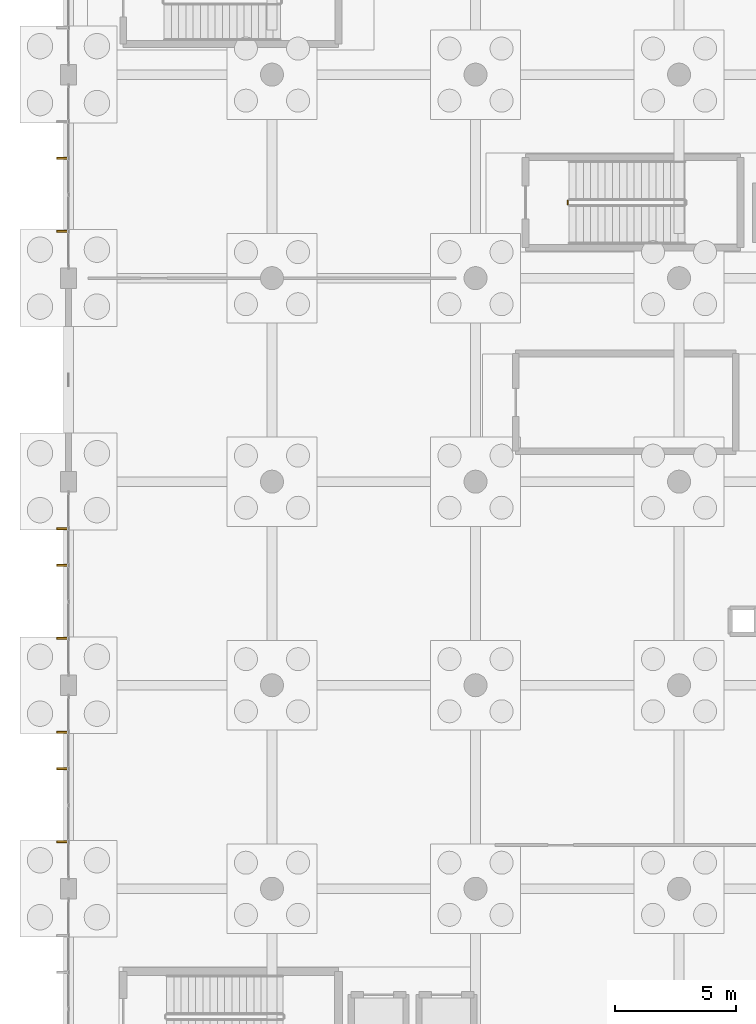
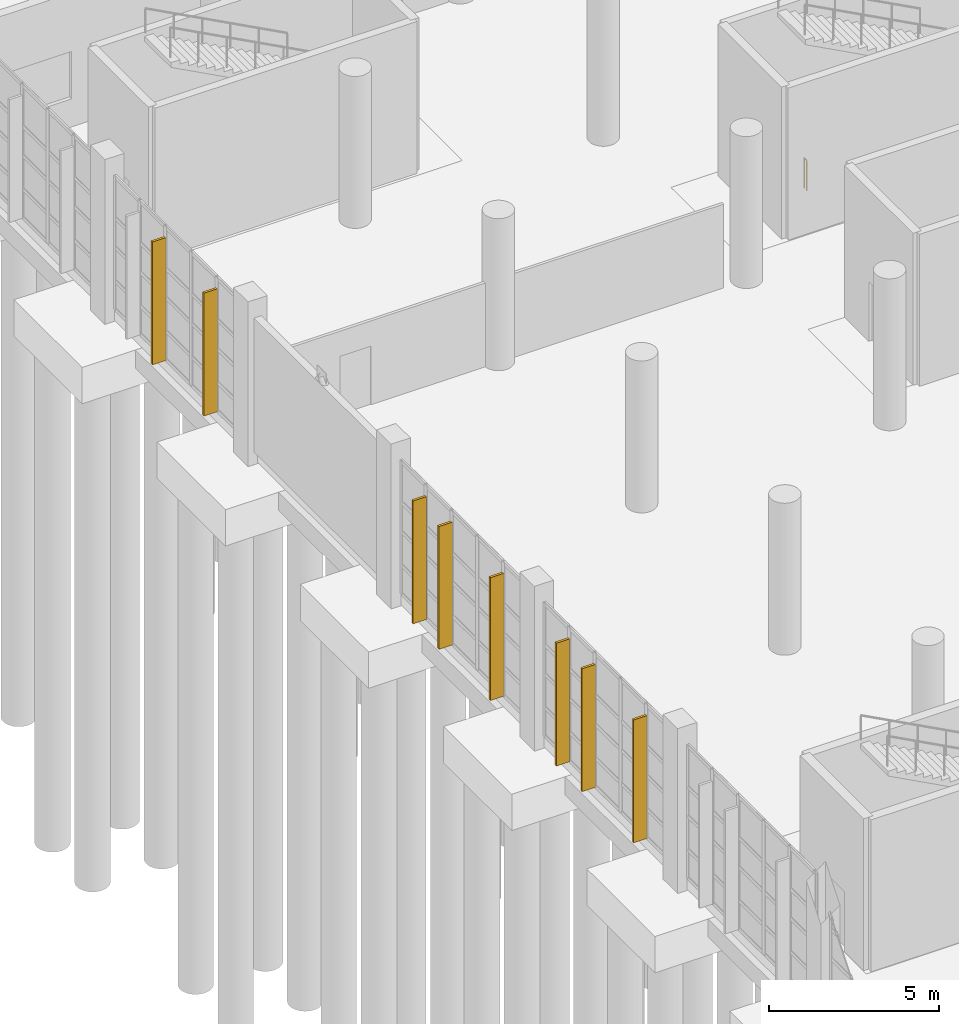
# One storey, part 72 of 83: 8 shading devices, 1 railing.
"""IFC4 building model written with IfcOpenShell, lengths in metres."""

from ifc_helpers import new_model, si_unit, direction, frame, origin, origin_2d, place, context, subcontext, project, spatial, rectangle, circle, extrude, material, type_object, element, save


model = new_model("IFC4")

# Units and contexts
model_context = context("Model", 3, precision=1e-05, world=origin(), true_north=direction((0.0, 1.0)))
body_context = subcontext(model_context, "Body", "Model", "MODEL_VIEW")
ifc_project = project(units=[si_unit("LENGTHUNIT", "METRE"), si_unit("AREAUNIT", "SQUARE_METRE"), si_unit("VOLUMEUNIT", "CUBIC_METRE"), si_unit("PLANEANGLEUNIT", "RADIAN"), si_unit("MASSUNIT", "GRAM", prefix="KILO"), si_unit("THERMODYNAMICTEMPERATUREUNIT", "KELVIN"), si_unit("POWERUNIT", "WATT")], contexts=[model_context])

# Site, building, storey
site_placement = place(None, origin())
site = spatial("IfcSite", under=ifc_project, at=site_placement, CompositionType="ELEMENT")
building_placement = place(site_placement, origin())
building = spatial("IfcBuilding", under=site, at=building_placement, Name="Mavoryth Pier Ferry Terminal", CompositionType="ELEMENT")
storey_placement = place(building_placement, origin())
storey = spatial("IfcBuildingStorey", under=building, at=storey_placement, Name="L00", CompositionType="ELEMENT", Elevation=0.0)

# Shading devices
ifc_material_1 = material(Name="Anodised Aluminium Solar-Shading Fin", Category="aluminium")
shading_device_type = type_object("IfcShadingDeviceType", Name="Fin-BriseSoleil-450x80x4400", PredefinedType="SHUTTER", material=ifc_material_1)
for number, where, z_axis, x_axis, name in (
    (1, (-0.2490234375, 70.465087890625, 0.0), (0.0, 0.0, 1.0), (0.0, -1.0, 0.0), "Solar Shading Fin 37"),
    (2, (-0.2490234375, 68.955078125, 0.0), (0.0, 0.0, 1.0), (0.0, -1.0, 0.0), "Solar Shading Fin 38"),
    (3, (-0.2490234375, 65.93505859375, 0.0), (0.0, 0.0, 1.0), (0.0, -1.0, 0.0), "Solar Shading Fin 39"),
    (4, (-0.2490234375, 78.864990234375, 0.0), (0.0, 0.0, 1.0), (0.0, -1.0, 0.0), "Solar Shading Fin 49"),
    (5, (-0.2490234375, 77.35498046875, 0.0), (0.0, 0.0, 1.0), (0.0, -1.0, 0.0), "Solar Shading Fin 50"),
    (6, (-0.2490234375, 74.3349609375, 0.0), (0.0, 0.0, 1.0), (0.0, -1.0, 0.0), "Solar Shading Fin 51"),
    (7, (-0.2490234375, 94.155029296875, 0.0), (0.0, 0.0, 1.0), (0.0, -1.0, 0.0), "Solar Shading Fin 62"),
    (8, (-0.2490234375, 91.135009765625, 0.0), (0.0, 0.0, 1.0), (0.0, -1.0, 0.0), "Solar Shading Fin 63"),
):
    element("IfcShadingDevice", number, at=place(storey_placement, frame(where, z_axis=z_axis, x_axis=x_axis)), inside=storey, type_object=shading_device_type, Name=name, PredefinedType="SHUTTER", context=body_context, shape_type="SweptSolid", body=[
        extrude(rectangle(XDim=0.080078125, YDim=0.449951171875, at=origin_2d()), origin(), (0.0, 0.0, 1.0), 4.39990234375),
    ])

# Railing
ifc_material_2 = material(Name="Painted Galvanised Steel Balustrade", Category="steel")
railing_type = type_object("IfcRailingType", Name="Guard-Stair-Steel1100", PredefinedType="GUARDRAIL", material=ifc_material_2)
railing_placement = place(storey_placement, frame((20.60009765625, 92.25, 0.0)))
element("IfcRailing", 9, at=railing_placement, inside=storey, type_object=railing_type, Name="L00 ST02 stair guard 4", PredefinedType="GUARDRAIL", context=body_context, shape_type="SweptSolid", body=[
    extrude(circle(Radius=0.02392578125, at=origin_2d()), frame((0.0, 0.0, 1.076171875), z_axis=(0.0, 1.0, 0.0), x_axis=(-1.0, 0.0, 0.0)), (0.0, 0.0, 1.0), 0.14990234375),
    extrude(circle(Radius=0.02099609375, at=origin_2d()), origin(), (0.0, 0.0, 1.0), 1.052001953125),
    extrude(circle(Radius=0.02099609375, at=origin_2d()), frame((0.0, 0.14990234375, 0.0)), (0.0, 0.0, 1.0), 1.052001953125),
])

save(model, "model.ifc")
